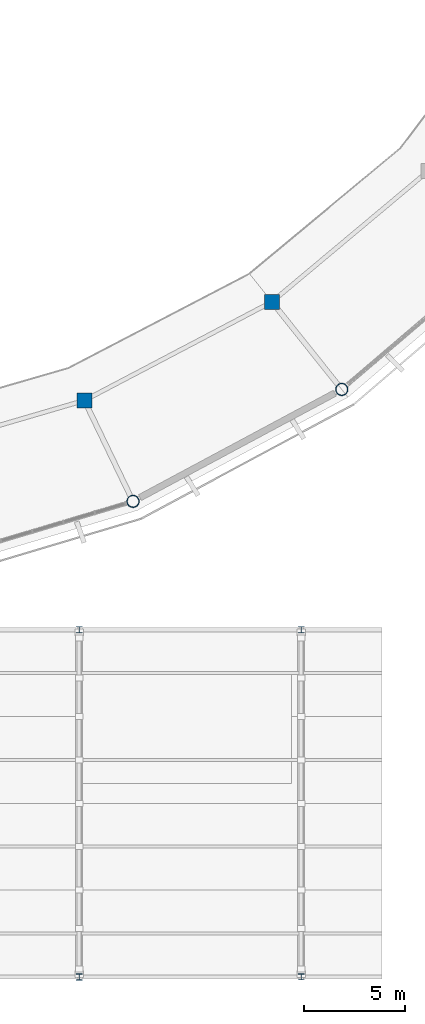
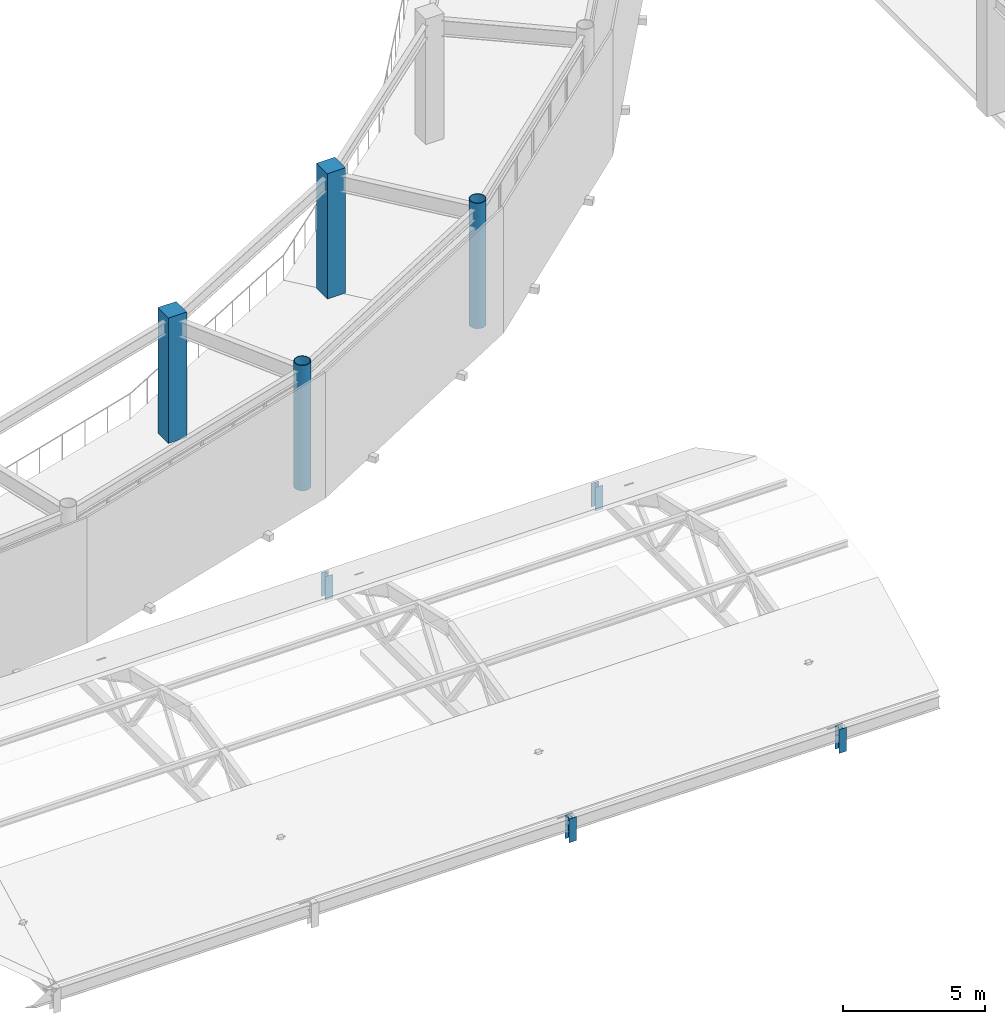
# One storey, part 5 of 70: 8 columns.
"""IFC4 building model written with IfcOpenShell, lengths in metres."""

from ifc_helpers import new_model, si_unit, direction, frame, origin, origin_2d, place, context, subcontext, project, spatial, rectangle, hollow_circle, i_section, extrude, material, material_profile, profile_set, type_object, element, save


model = new_model("IFC4")

# Units and contexts
model_context = context("Model", 3, precision=1e-05, world=origin(), true_north=direction((0.0, 1.0)))
body_context = subcontext(model_context, "Body", "Model", "MODEL_VIEW")
ifc_project = project(units=[si_unit("LENGTHUNIT", "METRE"), si_unit("AREAUNIT", "SQUARE_METRE"), si_unit("VOLUMEUNIT", "CUBIC_METRE"), si_unit("PLANEANGLEUNIT", "RADIAN"), si_unit("MASSUNIT", "GRAM", prefix="KILO")], contexts=[model_context])

# Site, building, storey
site_placement = place(None, origin())
site = spatial("IfcSite", under=ifc_project, at=site_placement, CompositionType="ELEMENT")
building_placement = place(site_placement, origin())
building = spatial("IfcBuilding", under=site, at=building_placement, Name="Cuetzalor Civic Arena", CompositionType="ELEMENT")
storey_placement = place(building_placement, frame((0.0, 0.0, 21.0)))
storey = spatial("IfcBuildingStorey", under=building, at=storey_placement, Name="L04", CompositionType="ELEMENT", Elevation=21.0)

# Columns
ifc_material_1 = material(Name="Concrete C40/50", Category="concrete")
ifc_material_profile_1 = material_profile(ifc_material_1, rectangle(XDim=0.75, YDim=0.75, at=origin_2d()), Name="RC 750x750")
ifc_profile_set_1 = profile_set([ifc_material_profile_1], Name="Concrete C40/50")
column_type_1 = type_object("IfcColumnType", Name="ConcreteColumn_750", PredefinedType="COLUMN", material=ifc_profile_set_1)
for number, where, z_axis, x_axis, name in (
    (1, (21.26025390625, -36.939697265625, 0.0), (0.0, 0.0, 1.0), (1.0, 0.0, 0.0), "Column V1-REC-24 L04"),
    (2, (30.551025390625, -32.05517578125, 0.0), (0.0, 0.0, 1.0), (1.0, 0.0, 0.0), "Column V1-REC-25 L04"),
):
    element("IfcColumn", number, at=place(storey_placement, frame(where, z_axis=z_axis, x_axis=x_axis)), inside=storey, type_object=column_type_1, Name=name, PredefinedType="COLUMN", context=body_context, shape_type="SweptSolid", body=[
        extrude(rectangle(XDim=0.75, YDim=0.75, at=origin_2d()), origin(), (0.0, 0.0, 1.0), 5.39990234375),
    ])
ifc_material_2 = material(Name="Steel S355", Category="steel")
ifc_material_profile_2 = material_profile(ifc_material_2, hollow_circle(Radius=0.304931640625, WallThickness=0.02490234375, at=origin_2d()), Name="CHS 610x25")
ifc_profile_set_2 = profile_set([ifc_material_profile_2], Name="Steel S355")
column_type_2 = type_object("IfcColumnType", Name="SteelDomePylon_CHS610", PredefinedType="COLUMN", material=ifc_profile_set_2)
for number, where, z_axis, x_axis, name in (
    (3, (23.66845703125, -41.940185546875, 0.0), (0.0, 0.0, 1.0), (1.0, 0.0, 0.0), "Column V1-PYL-24 L04"),
    (4, (34.011474609375, -36.394287109375, 0.0), (0.0, 0.0, 1.0), (1.0, 0.0, 0.0), "Column V1-PYL-25 L04"),
):
    element("IfcColumn", number, at=place(storey_placement, frame(where, z_axis=z_axis, x_axis=x_axis)), inside=storey, type_object=column_type_2, Name=name, PredefinedType="COLUMN", context=body_context, shape_type="SweptSolid", body=[
        extrude(hollow_circle(Radius=0.304931640625, WallThickness=0.02490234375, at=origin_2d()), origin(), (0.0, 0.0, 1.0), 5.39990234375),
    ])
ifc_material_3 = material(Name="Steel S355", Category="steel")
ifc_material_profile_3 = material_profile(ifc_material_3, i_section(OverallWidth=0.304931640625, OverallDepth=0.30810546875, WebThickness=0.010009765625, FlangeThickness=0.015380859375, at=origin_2d()), Name="W310x97")
ifc_profile_set_3 = profile_set([ifc_material_profile_3], Name="Steel S355")
column_type_3 = type_object("IfcColumnType", Name="SteelGalleryColumn_W310", PredefinedType="COLUMN", material=ifc_profile_set_3)
for number, where, z_axis, x_axis, name in (
    (5, (21.0, -65.5, 0.0), (0.0, 0.0, 1.0), (1.0, 0.0, 0.0), "South Foyer Vault Eaves Post 21/65.5"),
    (6, (21.0, -48.300048828125, 0.0), (0.0, 0.0, 1.0), (1.0, 0.0, 0.0), "South Foyer Vault Eaves Post 21/48.3"),
    (7, (32.0, -65.5, 0.0), (0.0, 0.0, 1.0), (1.0, 0.0, 0.0), "South Foyer Vault Eaves Post 32/65.5"),
    (8, (32.0, -48.300048828125, 0.0), (0.0, 0.0, 1.0), (1.0, 0.0, 0.0), "South Foyer Vault Eaves Post 32/48.3"),
):
    element("IfcColumn", number, at=place(storey_placement, frame(where, z_axis=z_axis, x_axis=x_axis)), inside=storey, type_object=column_type_3, Name=name, PredefinedType="COLUMN", context=body_context, shape_type="SweptSolid", body=[
        extrude(i_section(OverallWidth=0.304931640625, OverallDepth=0.30810546875, WebThickness=0.010009765625, FlangeThickness=0.015380859375, at=origin_2d()), origin(), (0.0, 0.0, 1.0), 1.02001953125),
    ])

save(model, "model.ifc")
